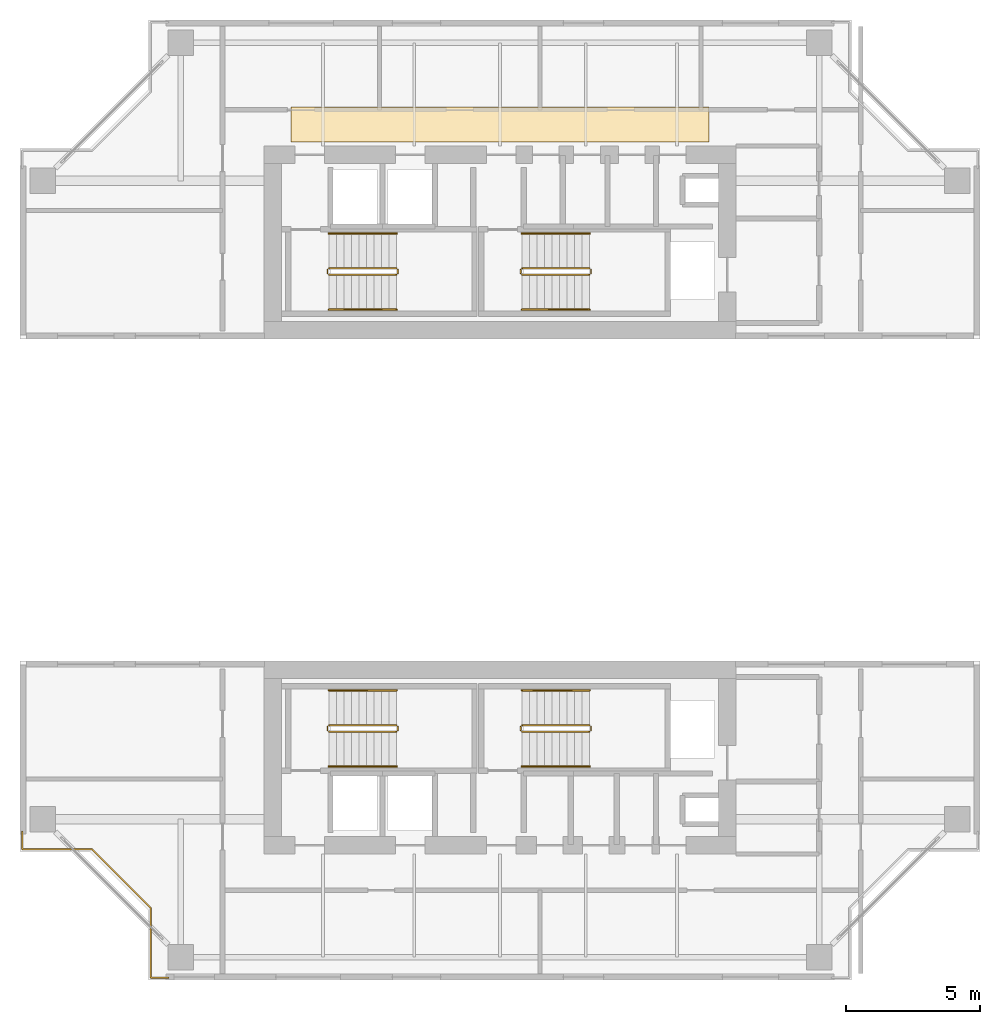
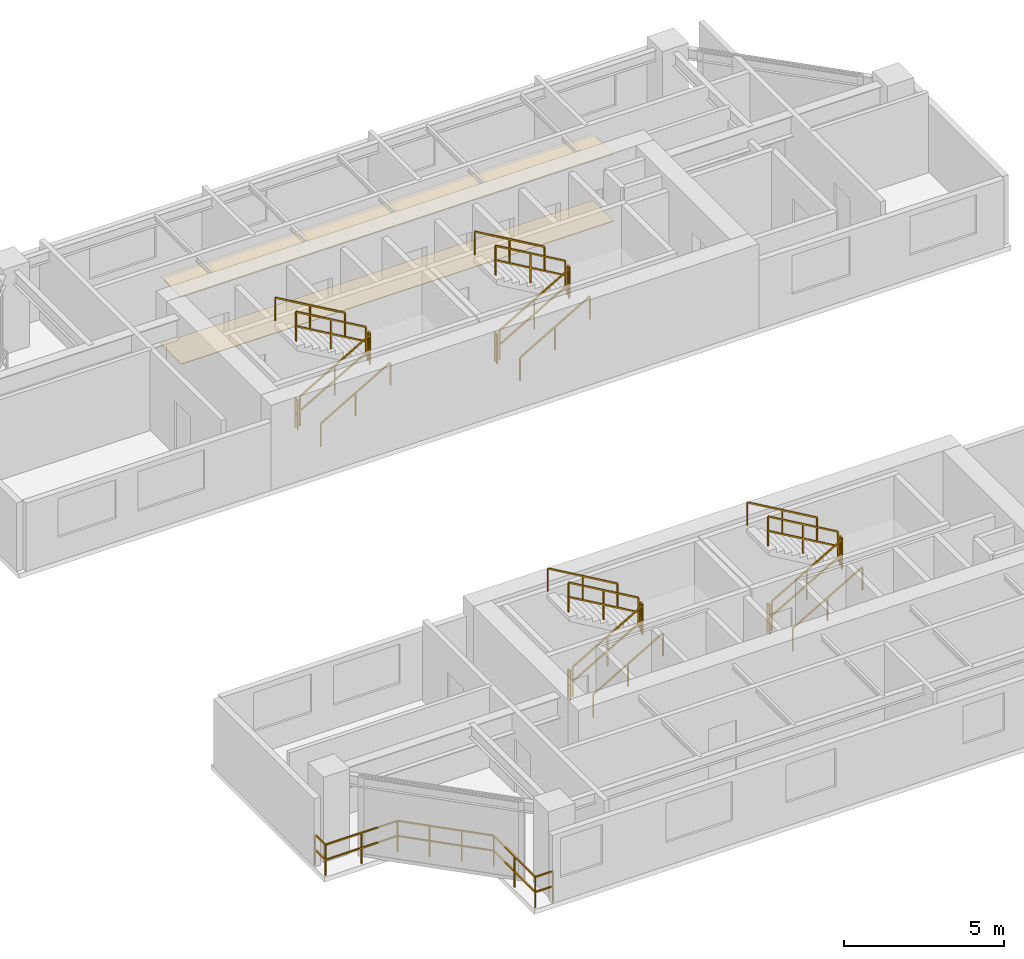
# One storey, part 11 of 12: 25 railings, 2 coverings.
"""IFC4 building model written with IfcOpenShell, lengths in metres."""

from ifc_helpers import new_model, si_unit, direction, frame, origin, origin_2d, place, context, subcontext, project, spatial, polyline, rectangle, outline, extrude, material, layer, layer_set, type_object, element, save


model = new_model("IFC4")

# Units and contexts
model_context = context("Model", 3, precision=1e-05, world=origin(), true_north=direction((0.0, 1.0)))
body_context = subcontext(model_context, "Body", "Model", "MODEL_VIEW")
ifc_project = project(units=[si_unit("LENGTHUNIT", "METRE"), si_unit("AREAUNIT", "SQUARE_METRE"), si_unit("VOLUMEUNIT", "CUBIC_METRE"), si_unit("PLANEANGLEUNIT", "RADIAN"), si_unit("MASSUNIT", "GRAM", prefix="KILO"), si_unit("THERMODYNAMICTEMPERATUREUNIT", "KELVIN"), si_unit("POWERUNIT", "WATT")], contexts=[model_context])

# Site, building, storey
site_placement = place(None, origin())
site = spatial("IfcSite", under=ifc_project, at=site_placement, CompositionType="ELEMENT")
building_placement = place(site_placement, origin())
building = spatial("IfcBuilding", under=site, at=building_placement, Name="Qiaomeng Ring Towers", CompositionType="ELEMENT")
storey_placement = place(building_placement, frame((0.0, 0.0, 163.25)))
storey = spatial("IfcBuildingStorey", under=building, at=storey_placement, Name="L47", CompositionType="ELEMENT", Elevation=163.25)

# Coverings
ifc_material_1 = material(Name="Moisture-resistant gypsum ceiling board", Category="gypsum")
ifc_layer_1 = layer(ifc_material_1, 0.030029296875, Name="Moisture-resistant gypsum ceiling board")
ifc_layer_set_1 = layer_set([ifc_layer_1], Name="Moisture-resistant gypsum ceiling board")
covering_type_1 = type_object("IfcCoveringType", Name="ARC-COV-CEIL2", PredefinedType="CEILING", material=ifc_layer_set_1)
covering_1_placement = place(storey_placement, frame((0.0, 0.0, 2.550048828125)))
element("IfcCovering", 1, at=covering_1_placement, inside=storey, type_object=covering_type_1, Name="L47 Corridor Acoustic Ceiling", PredefinedType="CEILING", context=body_context, shape_type="SweptSolid", body=[
    extrude(outline(polyline([(11.199951171875, 36.35009765625), (11.199951171875, 37.64990234375), (26.800048828125, 37.64990234375), (26.800048828125, 36.35009765625), (11.199951171875, 36.35009765625)])), origin(), (0.0, 0.0, 1.0), 0.02490234375),
])
ifc_material_2 = material(Name="Vitrified porcelain floor tile", Category="ceramic")
ifc_layer_2 = layer(ifc_material_2, 0.02001953125, Name="Vitrified porcelain floor tile")
ifc_layer_set_2 = layer_set([ifc_layer_2], Name="Vitrified porcelain floor tile")
covering_type_2 = type_object("IfcCoveringType", Name="ARC-COV-FLR1", PredefinedType="FLOORING", material=ifc_layer_set_2)
covering_2_placement = place(storey_placement, origin())
element("IfcCovering", 2, at=covering_2_placement, inside=storey, type_object=covering_type_2, Name="L47 Corridor Stone Flooring", PredefinedType="FLOORING", context=body_context, shape_type="SweptSolid", body=[
    extrude(outline(polyline([(11.199951171875, 36.35009765625), (11.199951171875, 37.64990234375), (26.800048828125, 37.64990234375), (26.800048828125, 36.35009765625), (11.199951171875, 36.35009765625)])), origin(), (0.0, 0.0, 1.0), 0.02001953125),
])

# Railings
ifc_material_3 = material(Name="Low-E pale-green laminated safety glass", Category="glass")
railing_type_1 = type_object("IfcRailingType", Name="ARC-RL-BAL1", PredefinedType="BALUSTRADE", material=ifc_material_3)
railing_1_placement = place(storey_placement, frame((1.179931640625, 10.6298828125, 0.0)))
element("IfcRailing", 3, at=railing_1_placement, inside=storey, type_object=railing_type_1, Name="L47 Balustrade ARC-BAL-NOTCH1-L47-SW", PredefinedType="BALUSTRADE", context=body_context, shape_type="SweptSolid", body=[
    extrude(rectangle(XDim=0.048095703125, YDim=0.048095703125, at=origin_2d()), frame((0.0, 0.0, 1.17578125), z_axis=(0.0, -1.0, 0.0), x_axis=(1.0, 0.0, 0.0)), (0.0, 0.0, 1.0), 0.64990234375),
    extrude(rectangle(XDim=0.048095703125, YDim=0.048095703125, at=origin_2d()), frame((0.0, 0.0, 0.60009765625), z_axis=(0.0, -1.0, 0.0), x_axis=(1.0, 0.0, 0.0)), (0.0, 0.0, 1.0), 0.64990234375),
    extrude(rectangle(XDim=0.048095703125, YDim=0.048095703125, at=origin_2d()), frame((0.0, -0.64990234375, 1.17578125), z_axis=(1.0, 0.0, 0.0), x_axis=(0.0, 1.0, 0.0)), (0.0, 0.0, 1.0), 2.60009765625),
    extrude(rectangle(XDim=0.048095703125, YDim=0.048095703125, at=origin_2d()), frame((0.0, -0.64990234375, 0.60009765625), z_axis=(1.0, 0.0, 0.0), x_axis=(0.0, 1.0, 0.0)), (0.0, 0.0, 1.0), 2.60009765625),
    extrude(rectangle(XDim=0.048095703125, YDim=0.048095703125, at=origin_2d()), frame((2.60009765625, -0.64990234375, 1.17578125), z_axis=(0.707106781187, -0.707106781187, 0.0), x_axis=(0.707106781187, 0.707106781187, 0.0)), (0.0, 0.0, 1.0), 3.111083984375),
    extrude(rectangle(XDim=0.048095703125, YDim=0.048095703125, at=origin_2d()), frame((2.60009765625, -0.64990234375, 0.60009765625), z_axis=(0.707106781187, -0.707106781187, 0.0), x_axis=(0.707106781187, 0.707106781187, 0.0)), (0.0, 0.0, 1.0), 3.111083984375),
    extrude(rectangle(XDim=0.048095703125, YDim=0.048095703125, at=origin_2d()), frame((4.800048828125, -2.849853515625, 1.17578125), z_axis=(0.0, -1.0, 0.0), x_axis=(1.0, 0.0, 0.0)), (0.0, 0.0, 1.0), 2.60009765625),
    extrude(rectangle(XDim=0.048095703125, YDim=0.048095703125, at=origin_2d()), frame((4.800048828125, -2.849853515625, 0.60009765625), z_axis=(0.0, -1.0, 0.0), x_axis=(1.0, 0.0, 0.0)), (0.0, 0.0, 1.0), 2.60009765625),
    extrude(rectangle(XDim=0.048095703125, YDim=0.048095703125, at=origin_2d()), frame((4.800048828125, -5.449951171875, 1.17578125), z_axis=(1.0, 0.0, 0.0), x_axis=(0.0, 1.0, 0.0)), (0.0, 0.0, 1.0), 0.64990234375),
    extrude(rectangle(XDim=0.048095703125, YDim=0.048095703125, at=origin_2d()), frame((4.800048828125, -5.449951171875, 0.60009765625), z_axis=(1.0, 0.0, 0.0), x_axis=(0.0, 1.0, 0.0)), (0.0, 0.0, 1.0), 0.64990234375),
    extrude(rectangle(XDim=0.0419921875, YDim=0.0419921875, at=origin_2d()), origin(), (0.0, 0.0, 1.0), 1.15185546875),
    extrude(rectangle(XDim=0.0419921875, YDim=0.0419921875, at=origin_2d()), frame((0.0, -0.64990234375, 0.0)), (0.0, 0.0, 1.0), 1.15185546875),
    extrude(rectangle(XDim=0.0419921875, YDim=0.0419921875, at=origin_2d()), frame((1.300048828125, -0.64990234375, 0.0)), (0.0, 0.0, 1.0), 1.15185546875),
    extrude(rectangle(XDim=0.0419921875, YDim=0.0419921875, at=origin_2d()), frame((2.60009765625, -0.64990234375, 0.0)), (0.0, 0.0, 1.0), 1.15185546875),
    extrude(rectangle(XDim=0.0419921875, YDim=0.0419921875, at=origin_2d()), frame((3.33349609375, -1.38330078125, 0.0)), (0.0, 0.0, 1.0), 1.15185546875),
    extrude(rectangle(XDim=0.0419921875, YDim=0.0419921875, at=origin_2d()), frame((4.066650390625, -2.116455078125, 0.0)), (0.0, 0.0, 1.0), 1.15185546875),
    extrude(rectangle(XDim=0.0419921875, YDim=0.0419921875, at=origin_2d()), frame((4.800048828125, -2.849853515625, 0.0)), (0.0, 0.0, 1.0), 1.15185546875),
    extrude(rectangle(XDim=0.0419921875, YDim=0.0419921875, at=origin_2d()), frame((4.800048828125, -4.14990234375, 0.0)), (0.0, 0.0, 1.0), 1.15185546875),
    extrude(rectangle(XDim=0.0419921875, YDim=0.0419921875, at=origin_2d()), frame((4.800048828125, -5.449951171875, 0.0)), (0.0, 0.0, 1.0), 1.15185546875),
    extrude(rectangle(XDim=0.0419921875, YDim=0.0419921875, at=origin_2d()), frame((5.449951171875, -5.449951171875, 0.0)), (0.0, 0.0, 1.0), 1.15185546875),
])
ifc_material_4 = material(Name="Galvanised steel", Category="steel")
railing_type_2 = type_object("IfcRailingType", Name="ARC-RL-GUARD", PredefinedType="GUARDRAIL", material=ifc_material_4)
railing_2_placement = place(storey_placement, frame((12.6201171875, 31.39990234375, 0.16259765625)))
element("IfcRailing", 4, at=railing_2_placement, inside=storey, type_object=railing_type_2, Name="L47 ST1 stair guard 1", PredefinedType="GUARDRAIL", context=body_context, shape_type="SweptSolid", body=[
    extrude(rectangle(XDim=0.048095703125, YDim=0.048095703125, at=origin_2d()), frame((0.0, 0.0, 1.1259765625), z_axis=(0.864892226395, 0.0, 0.501957604506), x_axis=(0.0, 1.0, 0.0)), (0.0, 0.0, 1.0), 2.913330078125),
    extrude(rectangle(XDim=0.048095703125, YDim=0.048095703125, at=origin_2d()), frame((0.0, 0.0, 0.574951171875), z_axis=(0.864892226395, 0.0, 0.501957604506), x_axis=(0.0, 1.0, 0.0)), (0.0, 0.0, 1.0), 2.913330078125),
    extrude(rectangle(XDim=0.0419921875, YDim=0.0419921875, at=origin_2d()), origin(), (0.0, 0.0, 1.0), 1.101806640625),
    extrude(rectangle(XDim=0.0419921875, YDim=0.0419921875, at=origin_2d()), frame((1.259765625, 0.0, 0.731201171875)), (0.0, 0.0, 1.0), 1.101806640625),
    extrude(rectangle(XDim=0.0419921875, YDim=0.0419921875, at=origin_2d()), frame((2.519775390625, 0.0, 1.46240234375)), (0.0, 0.0, 1.0), 1.101806640625),
])
railing_3_placement = place(storey_placement, frame((15.18994140625, 31.449951171875, 1.625)))
element("IfcRailing", 5, at=railing_3_placement, inside=storey, type_object=railing_type_2, Name="L47 ST1 stair guard 2", PredefinedType="GUARDRAIL", context=body_context, shape_type="SweptSolid", body=[
    extrude(rectangle(XDim=0.048095703125, YDim=0.048095703125, at=origin_2d()), frame((0.0, 0.0, 1.1259765625), z_axis=(0.0, 1.0, 0.0), x_axis=(-1.0, 0.0, 0.0)), (0.0, 0.0, 1.0), 0.14013671875),
    extrude(rectangle(XDim=0.048095703125, YDim=0.048095703125, at=origin_2d()), frame((0.0, 0.0, 0.574951171875), z_axis=(0.0, 1.0, 0.0), x_axis=(-1.0, 0.0, 0.0)), (0.0, 0.0, 1.0), 0.14013671875),
    extrude(rectangle(XDim=0.0419921875, YDim=0.0419921875, at=origin_2d()), origin(), (0.0, 0.0, 1.0), 1.101806640625),
    extrude(rectangle(XDim=0.0419921875, YDim=0.0419921875, at=origin_2d()), frame((0.0, 0.14013671875, 0.0)), (0.0, 0.0, 1.0), 1.101806640625),
])
railing_4_placement = place(storey_placement, frame((15.139892578125, 31.639892578125, 1.78759765625)))
element("IfcRailing", 6, at=railing_4_placement, inside=storey, type_object=railing_type_2, Name="L47 ST1 stair guard 3", PredefinedType="GUARDRAIL", context=body_context, shape_type="SweptSolid", body=[
    extrude(rectangle(XDim=0.048095703125, YDim=0.048095703125, at=origin_2d()), frame((0.0, 0.0, 1.1259765625), z_axis=(-0.864892226395, 0.0, 0.501957604506), x_axis=(0.0, -1.0, 0.0)), (0.0, 0.0, 1.0), 2.913330078125),
    extrude(rectangle(XDim=0.048095703125, YDim=0.048095703125, at=origin_2d()), frame((0.0, 0.0, 0.574951171875), z_axis=(-0.864892226395, 0.0, 0.501957604506), x_axis=(0.0, -1.0, 0.0)), (0.0, 0.0, 1.0), 2.913330078125),
    extrude(rectangle(XDim=0.0419921875, YDim=0.0419921875, at=origin_2d()), origin(), (0.0, 0.0, 1.0), 1.101806640625),
    extrude(rectangle(XDim=0.0419921875, YDim=0.0419921875, at=origin_2d()), frame((-1.259765625, 0.0, 0.731201171875)), (0.0, 0.0, 1.0), 1.101806640625),
    extrude(rectangle(XDim=0.0419921875, YDim=0.0419921875, at=origin_2d()), frame((-2.519775390625, 0.0, 1.46240234375)), (0.0, 0.0, 1.0), 1.101806640625),
])
railing_5_placement = place(storey_placement, frame((12.570068359375, 31.449951171875, 0.0)))
element("IfcRailing", 7, at=railing_5_placement, inside=storey, type_object=railing_type_2, Name="L47 ST1 stair guard 4", PredefinedType="GUARDRAIL", context=body_context, shape_type="SweptSolid", body=[
    extrude(rectangle(XDim=0.048095703125, YDim=0.048095703125, at=origin_2d()), frame((0.0, 0.0, 1.1259765625), z_axis=(0.0, 1.0, 0.0), x_axis=(-1.0, 0.0, 0.0)), (0.0, 0.0, 1.0), 0.14013671875),
    extrude(rectangle(XDim=0.048095703125, YDim=0.048095703125, at=origin_2d()), frame((0.0, 0.0, 0.574951171875), z_axis=(0.0, 1.0, 0.0), x_axis=(-1.0, 0.0, 0.0)), (0.0, 0.0, 1.0), 0.14013671875),
    extrude(rectangle(XDim=0.0419921875, YDim=0.0419921875, at=origin_2d()), origin(), (0.0, 0.0, 1.0), 1.101806640625),
    extrude(rectangle(XDim=0.0419921875, YDim=0.0419921875, at=origin_2d()), frame((0.0, 0.14013671875, 0.0)), (0.0, 0.0, 1.0), 1.101806640625),
])
railing_6_placement = place(storey_placement, frame((19.820068359375, 31.39990234375, 0.16259765625)))
element("IfcRailing", 8, at=railing_6_placement, inside=storey, type_object=railing_type_2, Name="L47 ST2 stair guard 1", PredefinedType="GUARDRAIL", context=body_context, shape_type="SweptSolid", body=[
    extrude(rectangle(XDim=0.048095703125, YDim=0.048095703125, at=origin_2d()), frame((0.0, 0.0, 1.1259765625), z_axis=(0.864913338283, 0.0, 0.50192122615), x_axis=(0.0, 1.0, 0.0)), (0.0, 0.0, 1.0), 2.91357421875),
    extrude(rectangle(XDim=0.048095703125, YDim=0.048095703125, at=origin_2d()), frame((0.0, 0.0, 0.574951171875), z_axis=(0.864913338283, 0.0, 0.50192122615), x_axis=(0.0, 1.0, 0.0)), (0.0, 0.0, 1.0), 2.91357421875),
    extrude(rectangle(XDim=0.0419921875, YDim=0.0419921875, at=origin_2d()), origin(), (0.0, 0.0, 1.0), 1.101806640625),
    extrude(rectangle(XDim=0.0419921875, YDim=0.0419921875, at=origin_2d()), frame((1.260009765625, 0.0, 0.731201171875)), (0.0, 0.0, 1.0), 1.101806640625),
    extrude(rectangle(XDim=0.0419921875, YDim=0.0419921875, at=origin_2d()), frame((2.52001953125, 0.0, 1.46240234375)), (0.0, 0.0, 1.0), 1.101806640625),
])
railing_7_placement = place(storey_placement, frame((22.389892578125, 31.449951171875, 1.625)))
element("IfcRailing", 9, at=railing_7_placement, inside=storey, type_object=railing_type_2, Name="L47 ST2 stair guard 2", PredefinedType="GUARDRAIL", context=body_context, shape_type="SweptSolid", body=[
    extrude(rectangle(XDim=0.048095703125, YDim=0.048095703125, at=origin_2d()), frame((0.0, 0.0, 1.1259765625), z_axis=(0.0, 1.0, 0.0), x_axis=(-1.0, 0.0, 0.0)), (0.0, 0.0, 1.0), 0.14013671875),
    extrude(rectangle(XDim=0.048095703125, YDim=0.048095703125, at=origin_2d()), frame((0.0, 0.0, 0.574951171875), z_axis=(0.0, 1.0, 0.0), x_axis=(-1.0, 0.0, 0.0)), (0.0, 0.0, 1.0), 0.14013671875),
    extrude(rectangle(XDim=0.0419921875, YDim=0.0419921875, at=origin_2d()), origin(), (0.0, 0.0, 1.0), 1.101806640625),
    extrude(rectangle(XDim=0.0419921875, YDim=0.0419921875, at=origin_2d()), frame((0.0, 0.14013671875, 0.0)), (0.0, 0.0, 1.0), 1.101806640625),
])
railing_8_placement = place(storey_placement, frame((22.340087890625, 31.639892578125, 1.78759765625)))
element("IfcRailing", 10, at=railing_8_placement, inside=storey, type_object=railing_type_2, Name="L47 ST2 stair guard 3", PredefinedType="GUARDRAIL", context=body_context, shape_type="SweptSolid", body=[
    extrude(rectangle(XDim=0.048095703125, YDim=0.048095703125, at=origin_2d()), frame((0.0, 0.0, 1.1259765625), z_axis=(-0.864913338283, 0.0, 0.50192122615), x_axis=(0.0, -1.0, 0.0)), (0.0, 0.0, 1.0), 2.91357421875),
    extrude(rectangle(XDim=0.048095703125, YDim=0.048095703125, at=origin_2d()), frame((0.0, 0.0, 0.574951171875), z_axis=(-0.864913338283, 0.0, 0.50192122615), x_axis=(0.0, -1.0, 0.0)), (0.0, 0.0, 1.0), 2.91357421875),
    extrude(rectangle(XDim=0.0419921875, YDim=0.0419921875, at=origin_2d()), origin(), (0.0, 0.0, 1.0), 1.101806640625),
    extrude(rectangle(XDim=0.0419921875, YDim=0.0419921875, at=origin_2d()), frame((-1.260009765625, 0.0, 0.731201171875)), (0.0, 0.0, 1.0), 1.101806640625),
    extrude(rectangle(XDim=0.0419921875, YDim=0.0419921875, at=origin_2d()), frame((-2.52001953125, 0.0, 1.46240234375)), (0.0, 0.0, 1.0), 1.101806640625),
])
railing_9_placement = place(storey_placement, frame((19.77001953125, 31.449951171875, 0.0)))
element("IfcRailing", 11, at=railing_9_placement, inside=storey, type_object=railing_type_2, Name="L47 ST2 stair guard 4", PredefinedType="GUARDRAIL", context=body_context, shape_type="SweptSolid", body=[
    extrude(rectangle(XDim=0.048095703125, YDim=0.048095703125, at=origin_2d()), frame((0.0, 0.0, 1.1259765625), z_axis=(0.0, 1.0, 0.0), x_axis=(-1.0, 0.0, 0.0)), (0.0, 0.0, 1.0), 0.14013671875),
    extrude(rectangle(XDim=0.048095703125, YDim=0.048095703125, at=origin_2d()), frame((0.0, 0.0, 0.574951171875), z_axis=(0.0, 1.0, 0.0), x_axis=(-1.0, 0.0, 0.0)), (0.0, 0.0, 1.0), 0.14013671875),
    extrude(rectangle(XDim=0.0419921875, YDim=0.0419921875, at=origin_2d()), origin(), (0.0, 0.0, 1.0), 1.101806640625),
    extrude(rectangle(XDim=0.0419921875, YDim=0.0419921875, at=origin_2d()), frame((0.0, 0.14013671875, 0.0)), (0.0, 0.0, 1.0), 1.101806640625),
])
railing_10_placement = place(storey_placement, frame((12.6201171875, 14.360107421875, 0.16259765625)))
element("IfcRailing", 12, at=railing_10_placement, inside=storey, type_object=railing_type_2, Name="L47 ST3 stair guard 1", PredefinedType="GUARDRAIL", context=body_context, shape_type="SweptSolid", body=[
    extrude(rectangle(XDim=0.048095703125, YDim=0.048095703125, at=origin_2d()), frame((0.0, 0.0, 1.1259765625), z_axis=(0.864892226395, 0.0, 0.501957604506), x_axis=(0.0, 1.0, 0.0)), (0.0, 0.0, 1.0), 2.913330078125),
    extrude(rectangle(XDim=0.048095703125, YDim=0.048095703125, at=origin_2d()), frame((0.0, 0.0, 0.574951171875), z_axis=(0.864892226395, 0.0, 0.501957604506), x_axis=(0.0, 1.0, 0.0)), (0.0, 0.0, 1.0), 2.913330078125),
    extrude(rectangle(XDim=0.0419921875, YDim=0.0419921875, at=origin_2d()), origin(), (0.0, 0.0, 1.0), 1.101806640625),
    extrude(rectangle(XDim=0.0419921875, YDim=0.0419921875, at=origin_2d()), frame((1.259765625, 0.0, 0.731201171875)), (0.0, 0.0, 1.0), 1.101806640625),
    extrude(rectangle(XDim=0.0419921875, YDim=0.0419921875, at=origin_2d()), frame((2.519775390625, 0.0, 1.46240234375)), (0.0, 0.0, 1.0), 1.101806640625),
])
railing_11_placement = place(storey_placement, frame((15.18994140625, 14.409912109375, 1.625)))
element("IfcRailing", 13, at=railing_11_placement, inside=storey, type_object=railing_type_2, Name="L47 ST3 stair guard 2", PredefinedType="GUARDRAIL", context=body_context, shape_type="SweptSolid", body=[
    extrude(rectangle(XDim=0.048095703125, YDim=0.048095703125, at=origin_2d()), frame((0.0, 0.0, 1.1259765625), z_axis=(0.0, 1.0, 0.0), x_axis=(-1.0, 0.0, 0.0)), (0.0, 0.0, 1.0), 0.14013671875),
    extrude(rectangle(XDim=0.048095703125, YDim=0.048095703125, at=origin_2d()), frame((0.0, 0.0, 0.574951171875), z_axis=(0.0, 1.0, 0.0), x_axis=(-1.0, 0.0, 0.0)), (0.0, 0.0, 1.0), 0.14013671875),
    extrude(rectangle(XDim=0.0419921875, YDim=0.0419921875, at=origin_2d()), origin(), (0.0, 0.0, 1.0), 1.101806640625),
    extrude(rectangle(XDim=0.0419921875, YDim=0.0419921875, at=origin_2d()), frame((0.0, 0.14013671875, 0.0)), (0.0, 0.0, 1.0), 1.101806640625),
])
railing_12_placement = place(storey_placement, frame((15.139892578125, 14.60009765625, 1.78759765625)))
element("IfcRailing", 14, at=railing_12_placement, inside=storey, type_object=railing_type_2, Name="L47 ST3 stair guard 3", PredefinedType="GUARDRAIL", context=body_context, shape_type="SweptSolid", body=[
    extrude(rectangle(XDim=0.048095703125, YDim=0.048095703125, at=origin_2d()), frame((0.0, 0.0, 1.1259765625), z_axis=(-0.864892226395, 0.0, 0.501957604506), x_axis=(0.0, -1.0, 0.0)), (0.0, 0.0, 1.0), 2.913330078125),
    extrude(rectangle(XDim=0.048095703125, YDim=0.048095703125, at=origin_2d()), frame((0.0, 0.0, 0.574951171875), z_axis=(-0.864892226395, 0.0, 0.501957604506), x_axis=(0.0, -1.0, 0.0)), (0.0, 0.0, 1.0), 2.913330078125),
    extrude(rectangle(XDim=0.0419921875, YDim=0.0419921875, at=origin_2d()), origin(), (0.0, 0.0, 1.0), 1.101806640625),
    extrude(rectangle(XDim=0.0419921875, YDim=0.0419921875, at=origin_2d()), frame((-1.259765625, 0.0, 0.731201171875)), (0.0, 0.0, 1.0), 1.101806640625),
    extrude(rectangle(XDim=0.0419921875, YDim=0.0419921875, at=origin_2d()), frame((-2.519775390625, 0.0, 1.46240234375)), (0.0, 0.0, 1.0), 1.101806640625),
])
railing_13_placement = place(storey_placement, frame((12.570068359375, 14.409912109375, 0.0)))
element("IfcRailing", 15, at=railing_13_placement, inside=storey, type_object=railing_type_2, Name="L47 ST3 stair guard 4", PredefinedType="GUARDRAIL", context=body_context, shape_type="SweptSolid", body=[
    extrude(rectangle(XDim=0.048095703125, YDim=0.048095703125, at=origin_2d()), frame((0.0, 0.0, 1.1259765625), z_axis=(0.0, 1.0, 0.0), x_axis=(-1.0, 0.0, 0.0)), (0.0, 0.0, 1.0), 0.14013671875),
    extrude(rectangle(XDim=0.048095703125, YDim=0.048095703125, at=origin_2d()), frame((0.0, 0.0, 0.574951171875), z_axis=(0.0, 1.0, 0.0), x_axis=(-1.0, 0.0, 0.0)), (0.0, 0.0, 1.0), 0.14013671875),
    extrude(rectangle(XDim=0.0419921875, YDim=0.0419921875, at=origin_2d()), origin(), (0.0, 0.0, 1.0), 1.101806640625),
    extrude(rectangle(XDim=0.0419921875, YDim=0.0419921875, at=origin_2d()), frame((0.0, 0.14013671875, 0.0)), (0.0, 0.0, 1.0), 1.101806640625),
])
railing_14_placement = place(storey_placement, frame((19.820068359375, 14.360107421875, 0.16259765625)))
element("IfcRailing", 16, at=railing_14_placement, inside=storey, type_object=railing_type_2, Name="L47 ST4 stair guard 1", PredefinedType="GUARDRAIL", context=body_context, shape_type="SweptSolid", body=[
    extrude(rectangle(XDim=0.048095703125, YDim=0.048095703125, at=origin_2d()), frame((0.0, 0.0, 1.1259765625), z_axis=(0.864913338283, 0.0, 0.50192122615), x_axis=(0.0, 1.0, 0.0)), (0.0, 0.0, 1.0), 2.91357421875),
    extrude(rectangle(XDim=0.048095703125, YDim=0.048095703125, at=origin_2d()), frame((0.0, 0.0, 0.574951171875), z_axis=(0.864913338283, 0.0, 0.50192122615), x_axis=(0.0, 1.0, 0.0)), (0.0, 0.0, 1.0), 2.91357421875),
    extrude(rectangle(XDim=0.0419921875, YDim=0.0419921875, at=origin_2d()), origin(), (0.0, 0.0, 1.0), 1.101806640625),
    extrude(rectangle(XDim=0.0419921875, YDim=0.0419921875, at=origin_2d()), frame((1.260009765625, 0.0, 0.731201171875)), (0.0, 0.0, 1.0), 1.101806640625),
    extrude(rectangle(XDim=0.0419921875, YDim=0.0419921875, at=origin_2d()), frame((2.52001953125, 0.0, 1.46240234375)), (0.0, 0.0, 1.0), 1.101806640625),
])
railing_15_placement = place(storey_placement, frame((22.389892578125, 14.409912109375, 1.625)))
element("IfcRailing", 17, at=railing_15_placement, inside=storey, type_object=railing_type_2, Name="L47 ST4 stair guard 2", PredefinedType="GUARDRAIL", context=body_context, shape_type="SweptSolid", body=[
    extrude(rectangle(XDim=0.048095703125, YDim=0.048095703125, at=origin_2d()), frame((0.0, 0.0, 1.1259765625), z_axis=(0.0, 1.0, 0.0), x_axis=(-1.0, 0.0, 0.0)), (0.0, 0.0, 1.0), 0.14013671875),
    extrude(rectangle(XDim=0.048095703125, YDim=0.048095703125, at=origin_2d()), frame((0.0, 0.0, 0.574951171875), z_axis=(0.0, 1.0, 0.0), x_axis=(-1.0, 0.0, 0.0)), (0.0, 0.0, 1.0), 0.14013671875),
    extrude(rectangle(XDim=0.0419921875, YDim=0.0419921875, at=origin_2d()), origin(), (0.0, 0.0, 1.0), 1.101806640625),
    extrude(rectangle(XDim=0.0419921875, YDim=0.0419921875, at=origin_2d()), frame((0.0, 0.14013671875, 0.0)), (0.0, 0.0, 1.0), 1.101806640625),
])
railing_16_placement = place(storey_placement, frame((22.340087890625, 14.60009765625, 1.78759765625)))
element("IfcRailing", 18, at=railing_16_placement, inside=storey, type_object=railing_type_2, Name="L47 ST4 stair guard 3", PredefinedType="GUARDRAIL", context=body_context, shape_type="SweptSolid", body=[
    extrude(rectangle(XDim=0.048095703125, YDim=0.048095703125, at=origin_2d()), frame((0.0, 0.0, 1.1259765625), z_axis=(-0.864913338283, 0.0, 0.50192122615), x_axis=(0.0, -1.0, 0.0)), (0.0, 0.0, 1.0), 2.91357421875),
    extrude(rectangle(XDim=0.048095703125, YDim=0.048095703125, at=origin_2d()), frame((0.0, 0.0, 0.574951171875), z_axis=(-0.864913338283, 0.0, 0.50192122615), x_axis=(0.0, -1.0, 0.0)), (0.0, 0.0, 1.0), 2.91357421875),
    extrude(rectangle(XDim=0.0419921875, YDim=0.0419921875, at=origin_2d()), origin(), (0.0, 0.0, 1.0), 1.101806640625),
    extrude(rectangle(XDim=0.0419921875, YDim=0.0419921875, at=origin_2d()), frame((-1.260009765625, 0.0, 0.731201171875)), (0.0, 0.0, 1.0), 1.101806640625),
    extrude(rectangle(XDim=0.0419921875, YDim=0.0419921875, at=origin_2d()), frame((-2.52001953125, 0.0, 1.46240234375)), (0.0, 0.0, 1.0), 1.101806640625),
])
railing_17_placement = place(storey_placement, frame((19.77001953125, 14.409912109375, 0.0)))
element("IfcRailing", 19, at=railing_17_placement, inside=storey, type_object=railing_type_2, Name="L47 ST4 stair guard 4", PredefinedType="GUARDRAIL", context=body_context, shape_type="SweptSolid", body=[
    extrude(rectangle(XDim=0.048095703125, YDim=0.048095703125, at=origin_2d()), frame((0.0, 0.0, 1.1259765625), z_axis=(0.0, 1.0, 0.0), x_axis=(-1.0, 0.0, 0.0)), (0.0, 0.0, 1.0), 0.14013671875),
    extrude(rectangle(XDim=0.048095703125, YDim=0.048095703125, at=origin_2d()), frame((0.0, 0.0, 0.574951171875), z_axis=(0.0, 1.0, 0.0), x_axis=(-1.0, 0.0, 0.0)), (0.0, 0.0, 1.0), 0.14013671875),
    extrude(rectangle(XDim=0.0419921875, YDim=0.0419921875, at=origin_2d()), origin(), (0.0, 0.0, 1.0), 1.101806640625),
    extrude(rectangle(XDim=0.0419921875, YDim=0.0419921875, at=origin_2d()), frame((0.0, 0.14013671875, 0.0)), (0.0, 0.0, 1.0), 1.101806640625),
])
ifc_material_5 = material(Name="Stainless steel 316", Category="steel")
railing_type_3 = type_object("IfcRailingType", Name="ARC-RL-HAND", PredefinedType="HANDRAIL", material=ifc_material_5)
railing_18_placement = place(storey_placement, frame((12.6201171875, 30.10009765625, 0.16259765625)))
element("IfcRailing", 20, at=railing_18_placement, inside=storey, type_object=railing_type_3, Name="L47 ST1 stair handrail 1", PredefinedType="HANDRAIL", context=body_context, shape_type="SweptSolid", body=[
    extrude(rectangle(XDim=0.048095703125, YDim=0.048095703125, at=origin_2d()), frame((0.0, 0.0, 0.8759765625), z_axis=(0.864892226395, 0.0, 0.501957604506), x_axis=(0.0, 1.0, 0.0)), (0.0, 0.0, 1.0), 2.913330078125),
    extrude(rectangle(XDim=0.0419921875, YDim=0.0419921875, at=origin_2d()), origin(), (0.0, 0.0, 1.0), 0.851806640625),
    extrude(rectangle(XDim=0.0419921875, YDim=0.0419921875, at=origin_2d()), frame((1.259765625, 0.0, 0.731201171875)), (0.0, 0.0, 1.0), 0.851806640625),
    extrude(rectangle(XDim=0.0419921875, YDim=0.0419921875, at=origin_2d()), frame((2.519775390625, 0.0, 1.46240234375)), (0.0, 0.0, 1.0), 0.851806640625),
])
railing_19_placement = place(storey_placement, frame((15.139892578125, 32.93994140625, 1.78759765625)))
element("IfcRailing", 21, at=railing_19_placement, inside=storey, type_object=railing_type_3, Name="L47 ST1 stair handrail 2", PredefinedType="HANDRAIL", context=body_context, shape_type="SweptSolid", body=[
    extrude(rectangle(XDim=0.048095703125, YDim=0.048095703125, at=origin_2d()), frame((0.0, 0.0, 0.8759765625), z_axis=(-0.864892226395, 0.0, 0.501957604506), x_axis=(0.0, -1.0, 0.0)), (0.0, 0.0, 1.0), 2.913330078125),
    extrude(rectangle(XDim=0.0419921875, YDim=0.0419921875, at=origin_2d()), origin(), (0.0, 0.0, 1.0), 0.851806640625),
    extrude(rectangle(XDim=0.0419921875, YDim=0.0419921875, at=origin_2d()), frame((-1.259765625, 0.0, 0.731201171875)), (0.0, 0.0, 1.0), 0.851806640625),
    extrude(rectangle(XDim=0.0419921875, YDim=0.0419921875, at=origin_2d()), frame((-2.519775390625, 0.0, 1.46240234375)), (0.0, 0.0, 1.0), 0.851806640625),
])
railing_20_placement = place(storey_placement, frame((19.820068359375, 30.10009765625, 0.16259765625)))
element("IfcRailing", 22, at=railing_20_placement, inside=storey, type_object=railing_type_3, Name="L47 ST2 stair handrail 1", PredefinedType="HANDRAIL", context=body_context, shape_type="SweptSolid", body=[
    extrude(rectangle(XDim=0.048095703125, YDim=0.048095703125, at=origin_2d()), frame((0.0, 0.0, 0.8759765625), z_axis=(0.864913338283, 0.0, 0.50192122615), x_axis=(0.0, 1.0, 0.0)), (0.0, 0.0, 1.0), 2.91357421875),
    extrude(rectangle(XDim=0.0419921875, YDim=0.0419921875, at=origin_2d()), origin(), (0.0, 0.0, 1.0), 0.851806640625),
    extrude(rectangle(XDim=0.0419921875, YDim=0.0419921875, at=origin_2d()), frame((1.260009765625, 0.0, 0.731201171875)), (0.0, 0.0, 1.0), 0.851806640625),
    extrude(rectangle(XDim=0.0419921875, YDim=0.0419921875, at=origin_2d()), frame((2.52001953125, 0.0, 1.46240234375)), (0.0, 0.0, 1.0), 0.851806640625),
])
railing_21_placement = place(storey_placement, frame((22.340087890625, 32.93994140625, 1.78759765625)))
element("IfcRailing", 23, at=railing_21_placement, inside=storey, type_object=railing_type_3, Name="L47 ST2 stair handrail 2", PredefinedType="HANDRAIL", context=body_context, shape_type="SweptSolid", body=[
    extrude(rectangle(XDim=0.048095703125, YDim=0.048095703125, at=origin_2d()), frame((0.0, 0.0, 0.8759765625), z_axis=(-0.864913338283, 0.0, 0.50192122615), x_axis=(0.0, -1.0, 0.0)), (0.0, 0.0, 1.0), 2.91357421875),
    extrude(rectangle(XDim=0.0419921875, YDim=0.0419921875, at=origin_2d()), origin(), (0.0, 0.0, 1.0), 0.851806640625),
    extrude(rectangle(XDim=0.0419921875, YDim=0.0419921875, at=origin_2d()), frame((-1.260009765625, 0.0, 0.731201171875)), (0.0, 0.0, 1.0), 0.851806640625),
    extrude(rectangle(XDim=0.0419921875, YDim=0.0419921875, at=origin_2d()), frame((-2.52001953125, 0.0, 1.46240234375)), (0.0, 0.0, 1.0), 0.851806640625),
])
railing_22_placement = place(storey_placement, frame((12.6201171875, 13.06005859375, 0.16259765625)))
element("IfcRailing", 24, at=railing_22_placement, inside=storey, type_object=railing_type_3, Name="L47 ST3 stair handrail 1", PredefinedType="HANDRAIL", context=body_context, shape_type="SweptSolid", body=[
    extrude(rectangle(XDim=0.048095703125, YDim=0.048095703125, at=origin_2d()), frame((0.0, 0.0, 0.8759765625), z_axis=(0.864892226395, 0.0, 0.501957604506), x_axis=(0.0, 1.0, 0.0)), (0.0, 0.0, 1.0), 2.913330078125),
    extrude(rectangle(XDim=0.0419921875, YDim=0.0419921875, at=origin_2d()), origin(), (0.0, 0.0, 1.0), 0.851806640625),
    extrude(rectangle(XDim=0.0419921875, YDim=0.0419921875, at=origin_2d()), frame((1.259765625, 0.0, 0.731201171875)), (0.0, 0.0, 1.0), 0.851806640625),
    extrude(rectangle(XDim=0.0419921875, YDim=0.0419921875, at=origin_2d()), frame((2.519775390625, 0.0, 1.46240234375)), (0.0, 0.0, 1.0), 0.851806640625),
])
railing_23_placement = place(storey_placement, frame((15.139892578125, 15.89990234375, 1.78759765625)))
element("IfcRailing", 25, at=railing_23_placement, inside=storey, type_object=railing_type_3, Name="L47 ST3 stair handrail 2", PredefinedType="HANDRAIL", context=body_context, shape_type="SweptSolid", body=[
    extrude(rectangle(XDim=0.048095703125, YDim=0.048095703125, at=origin_2d()), frame((0.0, 0.0, 0.8759765625), z_axis=(-0.864892226395, 0.0, 0.501957604506), x_axis=(0.0, -1.0, 0.0)), (0.0, 0.0, 1.0), 2.913330078125),
    extrude(rectangle(XDim=0.0419921875, YDim=0.0419921875, at=origin_2d()), origin(), (0.0, 0.0, 1.0), 0.851806640625),
    extrude(rectangle(XDim=0.0419921875, YDim=0.0419921875, at=origin_2d()), frame((-1.259765625, 0.0, 0.731201171875)), (0.0, 0.0, 1.0), 0.851806640625),
    extrude(rectangle(XDim=0.0419921875, YDim=0.0419921875, at=origin_2d()), frame((-2.519775390625, 0.0, 1.46240234375)), (0.0, 0.0, 1.0), 0.851806640625),
])
railing_24_placement = place(storey_placement, frame((19.820068359375, 13.06005859375, 0.16259765625)))
element("IfcRailing", 26, at=railing_24_placement, inside=storey, type_object=railing_type_3, Name="L47 ST4 stair handrail 1", PredefinedType="HANDRAIL", context=body_context, shape_type="SweptSolid", body=[
    extrude(rectangle(XDim=0.048095703125, YDim=0.048095703125, at=origin_2d()), frame((0.0, 0.0, 0.8759765625), z_axis=(0.864913338283, 0.0, 0.50192122615), x_axis=(0.0, 1.0, 0.0)), (0.0, 0.0, 1.0), 2.91357421875),
    extrude(rectangle(XDim=0.0419921875, YDim=0.0419921875, at=origin_2d()), origin(), (0.0, 0.0, 1.0), 0.851806640625),
    extrude(rectangle(XDim=0.0419921875, YDim=0.0419921875, at=origin_2d()), frame((1.260009765625, 0.0, 0.731201171875)), (0.0, 0.0, 1.0), 0.851806640625),
    extrude(rectangle(XDim=0.0419921875, YDim=0.0419921875, at=origin_2d()), frame((2.52001953125, 0.0, 1.46240234375)), (0.0, 0.0, 1.0), 0.851806640625),
])
railing_25_placement = place(storey_placement, frame((22.340087890625, 15.89990234375, 1.78759765625)))
element("IfcRailing", 27, at=railing_25_placement, inside=storey, type_object=railing_type_3, Name="L47 ST4 stair handrail 2", PredefinedType="HANDRAIL", context=body_context, shape_type="SweptSolid", body=[
    extrude(rectangle(XDim=0.048095703125, YDim=0.048095703125, at=origin_2d()), frame((0.0, 0.0, 0.8759765625), z_axis=(-0.864913338283, 0.0, 0.50192122615), x_axis=(0.0, -1.0, 0.0)), (0.0, 0.0, 1.0), 2.91357421875),
    extrude(rectangle(XDim=0.0419921875, YDim=0.0419921875, at=origin_2d()), origin(), (0.0, 0.0, 1.0), 0.851806640625),
    extrude(rectangle(XDim=0.0419921875, YDim=0.0419921875, at=origin_2d()), frame((-1.260009765625, 0.0, 0.731201171875)), (0.0, 0.0, 1.0), 0.851806640625),
    extrude(rectangle(XDim=0.0419921875, YDim=0.0419921875, at=origin_2d()), frame((-2.52001953125, 0.0, 1.46240234375)), (0.0, 0.0, 1.0), 0.851806640625),
])

save(model, "model.ifc")
